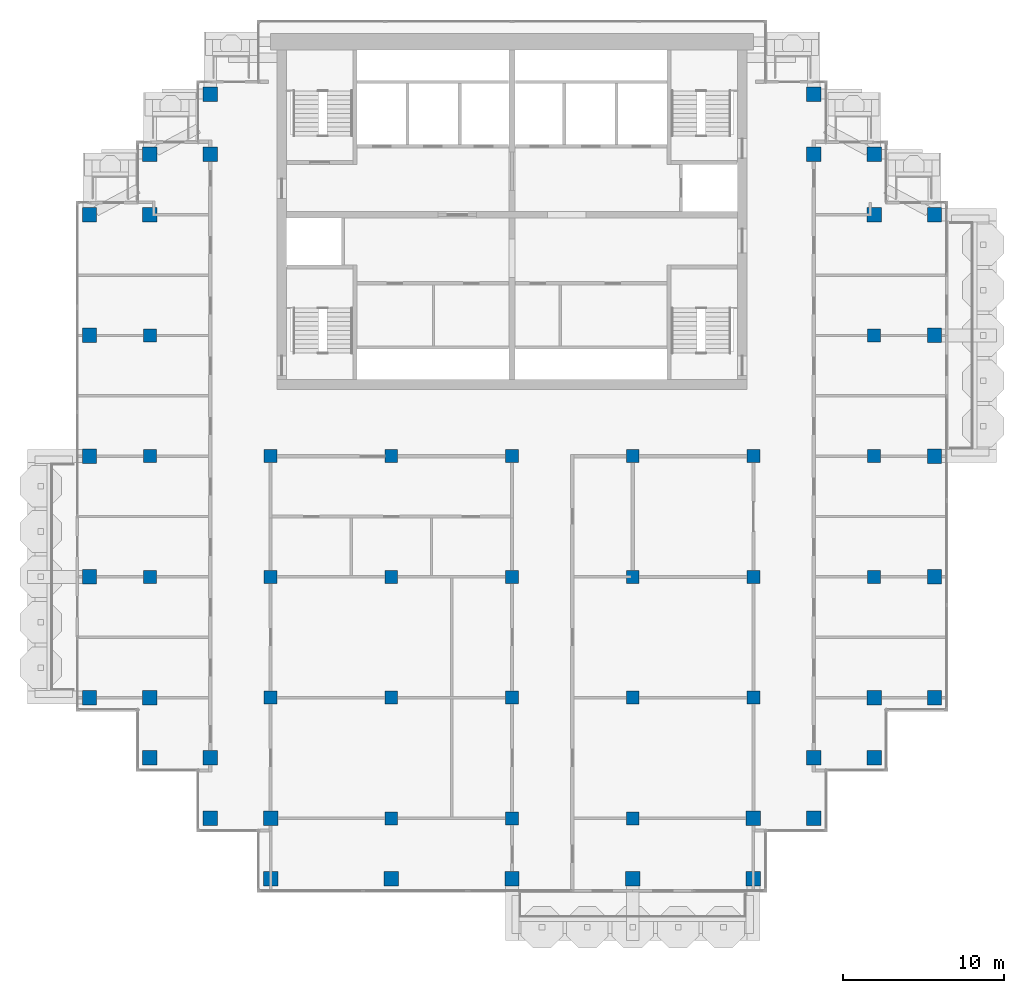
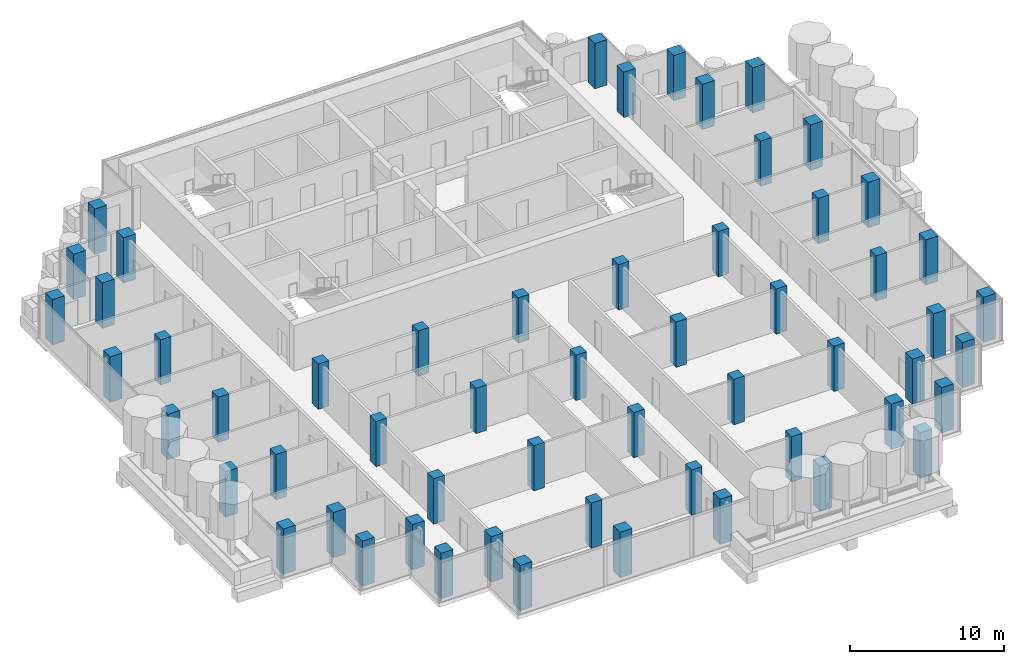
# One storey, part 1 of 19: 57 columns.
"""IFC4 building model written with IfcOpenShell, lengths in metres."""

from ifc_helpers import new_model, si_unit, direction, frame, origin, origin_2d, place, context, subcontext, project, spatial, rectangle, extrude, material, material_profile, profile_set, type_object, element, save


model = new_model("IFC4")

# Units and contexts
model_context = context("Model", 3, precision=1e-05, world=origin(), true_north=direction((0.0, 1.0)))
body_context = subcontext(model_context, "Body", "Model", "MODEL_VIEW")
ifc_project = project(units=[si_unit("LENGTHUNIT", "METRE"), si_unit("AREAUNIT", "SQUARE_METRE"), si_unit("VOLUMEUNIT", "CUBIC_METRE"), si_unit("PLANEANGLEUNIT", "RADIAN"), si_unit("MASSUNIT", "GRAM", prefix="KILO")], contexts=[model_context])

# Site, building, storey
site_placement = place(None, origin())
site = spatial("IfcSite", under=ifc_project, at=site_placement, CompositionType="ELEMENT")
building_placement = place(site_placement, origin())
building = spatial("IfcBuilding", under=site, at=building_placement, Name="Pilkhan Gate Tower", CompositionType="ELEMENT")
storey_placement = place(building_placement, frame((0.0, 0.0, 246.300048828125)))
storey = spatial("IfcBuildingStorey", under=building, at=storey_placement, Name="L64", CompositionType="ELEMENT", Elevation=246.300048828125)

# Columns
ifc_material = material(Name="Concrete C50/60", Category="concrete")
ifc_material_profile_1 = material_profile(ifc_material, rectangle(XDim=0.800048828125, YDim=0.800048828125, at=origin_2d()), Name="RC 800x800")
ifc_profile_set_1 = profile_set([ifc_material_profile_1], Name="Concrete C50/60")
column_type_1 = type_object("IfcColumnType", Name="Column C80 RC 800x800 C50/60", PredefinedType="COLUMN", material=ifc_profile_set_1)
for number, where, z_axis, x_axis, name in (
    (1, (52.5, 60.0, 0.0), (0.0, 0.0, 1.0), (1.0, 0.0, 0.0), "Column 5/F L64"),
    (2, (52.5, 67.5, 0.0), (0.0, 0.0, 1.0), (1.0, 0.0, 0.0), "Column 5/H L64"),
    (3, (52.5, 75.0, 0.0), (0.0, 0.0, 1.0), (1.0, 0.0, 0.0), "Column 5/K L64"),
    (4, (60.0, 52.5, 0.0), (0.0, 0.0, 1.0), (1.0, 0.0, 0.0), "Column 7/D L64"),
    (5, (60.0, 60.0, 0.0), (0.0, 0.0, 1.0), (1.0, 0.0, 0.0), "Column 7/F L64"),
    (6, (60.0, 67.5, 0.0), (0.0, 0.0, 1.0), (1.0, 0.0, 0.0), "Column 7/H L64"),
    (7, (67.5, 45.0, 0.0), (0.0, 0.0, 1.0), (1.0, 0.0, 0.0), "Column 9/B L64"),
    (8, (67.5, 52.5, 0.0), (0.0, 0.0, 1.0), (1.0, 0.0, 0.0), "Column 9/D L64"),
    (9, (67.5, 60.0, 0.0), (0.0, 0.0, 1.0), (1.0, 0.0, 0.0), "Column 9/F L64"),
    (10, (67.5, 67.5, 0.0), (0.0, 0.0, 1.0), (1.0, 0.0, 0.0), "Column 9/H L64"),
    (11, (75.0, 45.0, 0.0), (0.0, 0.0, 1.0), (1.0, 0.0, 0.0), "Column 11/B L64"),
    (12, (75.0, 52.5, 0.0), (0.0, 0.0, 1.0), (1.0, 0.0, 0.0), "Column 11/D L64"),
    (13, (75.0, 60.0, 0.0), (0.0, 0.0, 1.0), (1.0, 0.0, 0.0), "Column 11/F L64"),
    (14, (75.0, 67.5, 0.0), (0.0, 0.0, 1.0), (1.0, 0.0, 0.0), "Column 11/H L64"),
    (15, (82.5, 45.0, 0.0), (0.0, 0.0, 1.0), (1.0, 0.0, 0.0), "Column 13/B L64"),
    (16, (82.5, 52.5, 0.0), (0.0, 0.0, 1.0), (1.0, 0.0, 0.0), "Column 13/D L64"),
    (17, (82.5, 60.0, 0.0), (0.0, 0.0, 1.0), (1.0, 0.0, 0.0), "Column 13/F L64"),
    (18, (82.5, 67.5, 0.0), (0.0, 0.0, 1.0), (1.0, 0.0, 0.0), "Column 13/H L64"),
    (19, (90.0, 52.5, 0.0), (0.0, 0.0, 1.0), (1.0, 0.0, 0.0), "Column 15/D L64"),
    (20, (90.0, 60.0, 0.0), (0.0, 0.0, 1.0), (1.0, 0.0, 0.0), "Column 15/F L64"),
    (21, (90.0, 67.5, 0.0), (0.0, 0.0, 1.0), (1.0, 0.0, 0.0), "Column 15/H L64"),
    (22, (97.5, 60.0, 0.0), (0.0, 0.0, 1.0), (1.0, 0.0, 0.0), "Column 17/F L64"),
    (23, (97.5, 67.5, 0.0), (0.0, 0.0, 1.0), (1.0, 0.0, 0.0), "Column 17/H L64"),
    (24, (97.5, 75.0, 0.0), (0.0, 0.0, 1.0), (1.0, 0.0, 0.0), "Column 17/K L64"),
):
    element("IfcColumn", number, at=place(storey_placement, frame(where, z_axis=z_axis, x_axis=x_axis)), inside=storey, type_object=column_type_1, Name=name, PredefinedType="COLUMN", context=body_context, shape_type="SweptSolid", body=[
        extrude(rectangle(XDim=0.800048828125, YDim=0.800048828125, at=origin_2d()), origin(), (0.0, 0.0, 1.0), 3.599853515625),
    ])
ifc_material_profile_2 = material_profile(ifc_material, rectangle(XDim=0.89990234375, YDim=0.89990234375, at=origin_2d()), Name="RC 900x900")
ifc_profile_set_2 = profile_set([ifc_material_profile_2], Name="Concrete C50/60")
column_type_2 = type_object("IfcColumnType", Name="Column C90 RC 900x900 C50/60", PredefinedType="COLUMN", material=ifc_profile_set_2)
for number, where, z_axis, x_axis, name in (
    (25, (48.75, 52.5, 0.0), (0.0, 0.0, 1.0), (1.0, 0.0, 0.0), "Column 4/D L64"),
    (26, (48.75, 60.0, 0.0), (0.0, 0.0, 1.0), (1.0, 0.0, 0.0), "Column 4/F L64"),
    (27, (48.75, 67.5, 0.0), (0.0, 0.0, 1.0), (1.0, 0.0, 0.0), "Column 4/H L64"),
    (28, (48.75, 75.0, 0.0), (0.0, 0.0, 1.0), (1.0, 0.0, 0.0), "Column 4/K L64"),
    (29, (48.75, 82.5, 0.0), (0.0, 0.0, 1.0), (1.0, 0.0, 0.0), "Column 4/M L64"),
    (30, (52.5, 48.75, 0.0), (0.0, 0.0, 1.0), (1.0, 0.0, 0.0), "Column 5/C L64"),
    (31, (52.5, 52.5, 0.0), (0.0, 0.0, 1.0), (1.0, 0.0, 0.0), "Column 5/D L64"),
    (32, (52.5, 82.5, 0.0), (0.0, 0.0, 1.0), (1.0, 0.0, 0.0), "Column 5/M L64"),
    (33, (52.5, 86.25, 0.0), (0.0, 0.0, 1.0), (1.0, 0.0, 0.0), "Column 5/N L64"),
    (34, (56.25, 45.0, 0.0), (0.0, 0.0, 1.0), (1.0, 0.0, 0.0), "Column 6/B L64"),
    (35, (56.25, 48.75, 0.0), (0.0, 0.0, 1.0), (1.0, 0.0, 0.0), "Column 6/C L64"),
    (36, (56.25, 86.25, 0.0), (0.0, 0.0, 1.0), (1.0, 0.0, 0.0), "Column 6/N L64"),
    (37, (56.25, 90.0, 0.0), (0.0, 0.0, 1.0), (1.0, 0.0, 0.0), "Column 6/P L64"),
    (38, (60.0, 41.25, 0.0), (0.0, 0.0, 1.0), (1.0, 0.0, 0.0), "Column 7/A L64"),
    (39, (60.0, 45.0, 0.0), (0.0, 0.0, 1.0), (1.0, 0.0, 0.0), "Column 7/B L64"),
    (40, (67.5, 41.25, 0.0), (0.0, 0.0, 1.0), (1.0, 0.0, 0.0), "Column 9/A L64"),
    (41, (75.0, 41.25, 0.0), (0.0, 0.0, 1.0), (1.0, 0.0, 0.0), "Column 11/A L64"),
    (42, (82.5, 41.25, 0.0), (0.0, 0.0, 1.0), (1.0, 0.0, 0.0), "Column 13/A L64"),
    (43, (90.0, 41.25, 0.0), (0.0, 0.0, 1.0), (1.0, 0.0, 0.0), "Column 15/A L64"),
    (44, (90.0, 45.0, 0.0), (0.0, 0.0, 1.0), (1.0, 0.0, 0.0), "Column 15/B L64"),
    (45, (93.75, 45.0, 0.0), (0.0, 0.0, 1.0), (1.0, 0.0, 0.0), "Column 16/B L64"),
    (46, (93.75, 48.75, 0.0), (0.0, 0.0, 1.0), (1.0, 0.0, 0.0), "Column 16/C L64"),
    (47, (93.75, 86.25, 0.0), (0.0, 0.0, 1.0), (1.0, 0.0, 0.0), "Column 16/N L64"),
    (48, (93.75, 90.0, 0.0), (0.0, 0.0, 1.0), (1.0, 0.0, 0.0), "Column 16/P L64"),
    (49, (97.5, 48.75, 0.0), (0.0, 0.0, 1.0), (1.0, 0.0, 0.0), "Column 17/C L64"),
    (50, (97.5, 52.5, 0.0), (0.0, 0.0, 1.0), (1.0, 0.0, 0.0), "Column 17/D L64"),
    (51, (97.5, 82.5, 0.0), (0.0, 0.0, 1.0), (1.0, 0.0, 0.0), "Column 17/M L64"),
    (52, (97.5, 86.25, 0.0), (0.0, 0.0, 1.0), (1.0, 0.0, 0.0), "Column 17/N L64"),
    (53, (101.25, 52.5, 0.0), (0.0, 0.0, 1.0), (1.0, 0.0, 0.0), "Column 18/D L64"),
    (54, (101.25, 60.0, 0.0), (0.0, 0.0, 1.0), (1.0, 0.0, 0.0), "Column 18/F L64"),
    (55, (101.25, 67.5, 0.0), (0.0, 0.0, 1.0), (1.0, 0.0, 0.0), "Column 18/H L64"),
    (56, (101.25, 75.0, 0.0), (0.0, 0.0, 1.0), (1.0, 0.0, 0.0), "Column 18/K L64"),
    (57, (101.25, 82.5, 0.0), (0.0, 0.0, 1.0), (1.0, 0.0, 0.0), "Column 18/M L64"),
):
    element("IfcColumn", number, at=place(storey_placement, frame(where, z_axis=z_axis, x_axis=x_axis)), inside=storey, type_object=column_type_2, Name=name, PredefinedType="COLUMN", context=body_context, shape_type="SweptSolid", body=[
        extrude(rectangle(XDim=0.89990234375, YDim=0.89990234375, at=origin_2d()), origin(), (0.0, 0.0, 1.0), 3.599853515625),
    ])

save(model, "model.ifc")
